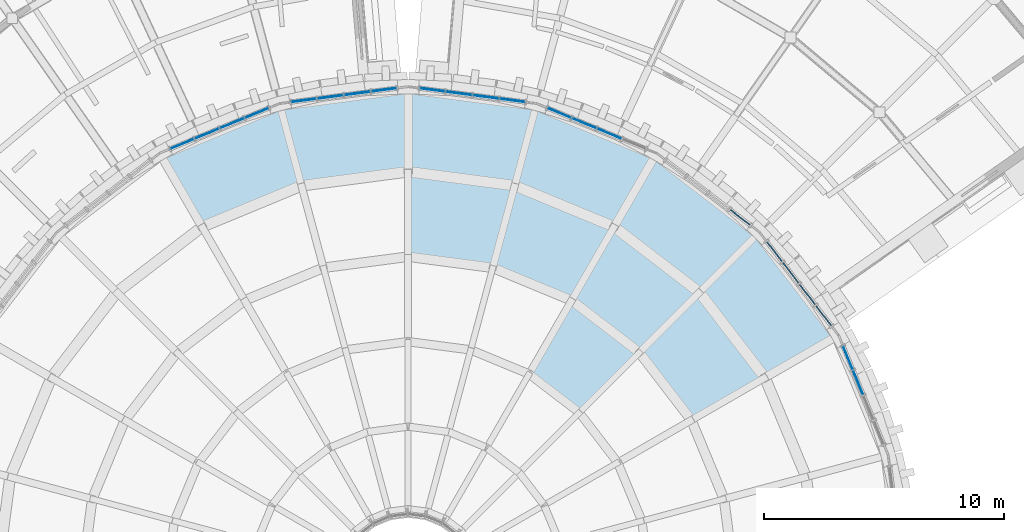
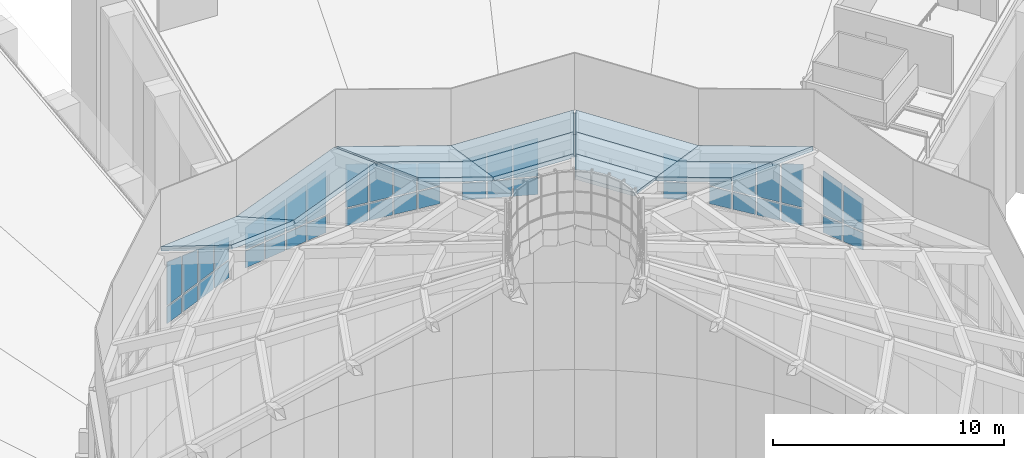
# One storey, part 44 of 82: 44 plates, 11 slabs, 8 elements without a shape of their own.
"""IFC4 building model written with IfcOpenShell, lengths in metres."""

import ifcopenshell
import ifcopenshell.guid

model = None  # the IFC model being written
_history = None  # IfcOwnerHistory: only IFC2X3 demands one
_inside = {}  # id of a spatial element -> (the spatial element, [elements in it])
_under = {}  # id of a project, library or spatial element -> (it, [spatial elements below it])
_declared = {}  # id of a project -> (the project, [libraries it declares])
_typed = {}  # id of a type object -> (the type object, [elements of that type])
_made_of = {}  # id of a material, layer set ... -> (it, [elements and type objects made of it])


def new_model(schema):
    """Start an empty IFC model of exactly this schema.

    Asked for "IFC4X3", IfcOpenShell would pick the latest addendum, in which some entities
    have other attributes; the version numbers below select the first issue.
    IFC2X3 requires an IfcOwnerHistory on every rooted entity: one is made here for all.
    """
    global model, _history
    if schema == "IFC4X3":
        model = ifcopenshell.file(schema_version=(4, 3, 0, 0))
    else:
        model = ifcopenshell.file(schema=schema)
    _inside.clear()
    _under.clear()
    _declared.clear()
    _typed.clear()
    _made_of.clear()
    _history = None
    if model.schema == "IFC2X3":
        org = make("IfcOrganization", Name="unknown")
        user = make(
            "IfcPersonAndOrganization",
            ThePerson=make("IfcPerson", FamilyName="unknown"),
            TheOrganization=org,
        )
        app = make(
            "IfcApplication",
            ApplicationDeveloper=org,
            Version="unknown",
            ApplicationFullName="unknown",
            ApplicationIdentifier="unknown",
        )
        _history = make(
            "IfcOwnerHistory",
            OwningUser=user,
            OwningApplication=app,
            ChangeAction="ADDED",
            CreationDate=0,
        )
    return model


def make(cls, **values):
    """One entity of the class cls with the attributes given. An attribute that is None is left unset."""
    return model.create_entity(
        cls, **{name: value for name, value in values.items() if value is not None}
    )


def rooted(cls, **values):
    """An entity with a GlobalId (a new one), such as an element, a storey or a relation."""
    return make(cls, GlobalId=ifcopenshell.guid.new(), OwnerHistory=_history, **values)


def si_unit(unit_type, name, prefix=None):
    """IfcSIUnit, for example si_unit("LENGTHUNIT", "METRE", prefix="MILLI")."""
    return make("IfcSIUnit", UnitType=unit_type, Prefix=prefix, Name=name)


def assignment(units):
    """IfcUnitAssignment: the units of a project."""
    return None if units is None else make("IfcUnitAssignment", Units=units)


def point(xyz):
    """IfcCartesianPoint."""
    return None if xyz is None else make("IfcCartesianPoint", Coordinates=xyz)


def direction(xyz):
    """IfcDirection."""
    return None if xyz is None else make("IfcDirection", DirectionRatios=xyz)


def frame(location, z_axis=None, x_axis=None):
    """IfcAxis2Placement3D, a coordinate frame: its origin and axes. An axis left out is left unset."""
    return make(
        "IfcAxis2Placement3D",
        Location=point(location),
        Axis=direction(z_axis),
        RefDirection=direction(x_axis),
    )


def frame_2d(location, x_axis=None):
    """IfcAxis2Placement2D, a coordinate frame in the plane: its origin and x axis."""
    return make(
        "IfcAxis2Placement2D", Location=point(location), RefDirection=direction(x_axis)
    )


def origin():
    """The frame at (0, 0, 0) with its axes left unset."""
    return frame((0.0, 0.0, 0.0))


def origin_2d():
    """The frame at (0, 0) in the plane with its x axis left unset."""
    return frame_2d((0.0, 0.0))


def place(relative_to, where):
    """IfcLocalPlacement: puts the frame where relative to a parent placement (None: the world)."""
    return make(
        "IfcLocalPlacement", PlacementRelTo=relative_to, RelativePlacement=where
    )


def context(
    kind, dimensions, precision=None, world=None, true_north=None, identifier=None
):
    """IfcGeometricRepresentationContext, for example the 3D "Model" context."""
    return make(
        "IfcGeometricRepresentationContext",
        ContextIdentifier=identifier,
        ContextType=kind,
        CoordinateSpaceDimension=dimensions,
        Precision=precision,
        WorldCoordinateSystem=world,
        TrueNorth=true_north,
    )


def subcontext(parent, identifier, kind, view, scale=None):
    """IfcGeometricRepresentationSubContext, for example "Body" below "Model"."""
    return make(
        "IfcGeometricRepresentationSubContext",
        ContextIdentifier=identifier,
        ContextType=kind,
        ParentContext=parent,
        TargetScale=scale,
        TargetView=view,
    )


def project(units=None, contexts=None):
    """IfcProject with its units and contexts."""
    return rooted(
        "IfcProject",
        Name="project",
        RepresentationContexts=contexts,
        UnitsInContext=assignment(units),
    )


def spatial(cls, under=None, at=None, **own):
    """A site, building, storey or space (cls), placed at a placement, below another one or the project."""
    s = rooted(cls, ObjectPlacement=at, **own)
    if under is not None:
        _under.setdefault(under.id(), (under, []))[1].append(s)
    return s


def polyline(points):
    """IfcPolyline through the points."""
    return make("IfcPolyline", Points=[point(p) for p in points])


def profile(cls, at=None, kind="AREA", **sizes):
    """A parametric profile (cls). Its sizes go by their IFC names, for example OverallWidth=200.0."""
    return make(cls, ProfileType=kind, Position=at, **sizes)


def rectangle(**sizes):
    """IfcRectangleProfileDef."""
    return profile("IfcRectangleProfileDef", **sizes)


def outline(outer, holes=None, kind="AREA"):
    """IfcArbitraryClosedProfileDef: a profile drawn as a closed curve; with holes, ...WithVoids."""
    if holes is None:
        return make("IfcArbitraryClosedProfileDef", ProfileType=kind, OuterCurve=outer)
    return make(
        "IfcArbitraryProfileDefWithVoids",
        ProfileType=kind,
        OuterCurve=outer,
        InnerCurves=holes,
    )


def extrude(swept, where, along, depth):
    """IfcExtrudedAreaSolid: the profile swept, set in the frame where, extruded along a direction by depth."""
    return make(
        "IfcExtrudedAreaSolid",
        SweptArea=swept,
        Position=where,
        ExtrudedDirection=direction(along),
        Depth=depth,
    )


def shape(context_of_items, identifier, shape_type, items):
    """IfcShapeRepresentation: the items that make up one representation, for example the "Body"."""
    return make(
        "IfcShapeRepresentation",
        ContextOfItems=context_of_items,
        RepresentationIdentifier=identifier,
        RepresentationType=shape_type,
        Items=items,
    )


def material(Name=None, Category=None):
    """IfcMaterial."""
    return make("IfcMaterial", Name=Name, Category=Category)


def layer(
    of_material, thickness, ventilated=None, Name=None, Category=None, Priority=None
):
    """IfcMaterialLayer: one layer of a wall or slab, of a material (None: an air gap)."""
    return make(
        "IfcMaterialLayer",
        Material=of_material,
        LayerThickness=thickness,
        IsVentilated=ventilated,
        Name=Name,
        Category=Category,
        Priority=Priority,
    )


def layer_set(layers, Name=None):
    """IfcMaterialLayerSet."""
    return make("IfcMaterialLayerSet", MaterialLayers=layers, LayerSetName=Name)


def made_of(thing, what):
    """Note that an element or type object is made of a material, layer set ...; save() writes the relation."""
    if what is not None:
        _made_of.setdefault(what.id(), (what, []))[1].append(thing)
    return thing


def type_object(cls, material=None, **own):
    """A type object (cls), such as IfcWallType, which elements share."""
    return made_of(rooted(cls, **own), material)


def element(
    cls,
    number,
    at=None,
    inside=None,
    cuts=None,
    type_object=None,
    material=None,
    context=None,
    identifier="Body",
    shape_type=None,
    held_by="IfcProductDefinitionShape",
    body=None,
    shapes=None,
    **own,
):
    """One element of the class cls, such as IfcWall. Its Tag is "e" and its number.

    at: its placement. inside: the storey or other place that contains it. cuts: it is an
    opening in that element (IfcRelVoidsElement). A single representation is given by context,
    identifier, shape_type and body (its items); several are given by shapes. held_by: the class
    of the entity that holds the representations. save() writes the other relations.
    """
    e = rooted(cls, Tag="e%d" % number, ObjectPlacement=at, **own)
    if body is not None:
        shapes = [shape(context, identifier, shape_type, body)]
    if shapes is not None:
        e.Representation = make(held_by, Representations=shapes)
    if inside is not None:
        _inside.setdefault(inside.id(), (inside, []))[1].append(e)
    if cuts is not None:
        rooted(
            "IfcRelVoidsElement", RelatingBuildingElement=cuts, RelatedOpeningElement=e
        )
    if type_object is not None:
        _typed.setdefault(type_object.id(), (type_object, []))[1].append(e)
    return made_of(e, material)


def aggregate(whole, parts):
    """IfcRelAggregates: a whole, such as a stair, and the parts it consists of."""
    return rooted("IfcRelAggregates", RelatingObject=whole, RelatedObjects=parts)


def save(model, path):
    """Write the relations noted so far, then the file.

    IfcRelAggregates (storeys below a building ...), IfcRelContainedInSpatialStructure (elements
    in a storey), IfcRelDefinesByType, IfcRelAssociatesMaterial and IfcRelDeclares: one each for
    every whole, place, type object, material and project.
    """
    for whole, parts in _under.values():
        aggregate(whole, parts)
    for where, things in _inside.values():
        rooted(
            "IfcRelContainedInSpatialStructure",
            RelatedElements=things,
            RelatingStructure=where,
        )
    for kind, things in _typed.values():
        rooted("IfcRelDefinesByType", RelatedObjects=things, RelatingType=kind)
    for what, things in _made_of.values():
        rooted("IfcRelAssociatesMaterial", RelatedObjects=things, RelatingMaterial=what)
    for by, libraries in _declared.values():
        rooted("IfcRelDeclares", RelatingContext=by, RelatedDefinitions=libraries)
    model.write(path)


model = new_model("IFC4")

# Units and contexts
model_context = context("Model", 3, precision=1e-05, world=origin(), true_north=direction((0.0, 1.0)))
body_context = subcontext(model_context, "Body", "Model", "MODEL_VIEW")
ifc_project = project(units=[si_unit("LENGTHUNIT", "METRE"), si_unit("AREAUNIT", "SQUARE_METRE"), si_unit("VOLUMEUNIT", "CUBIC_METRE"), si_unit("PLANEANGLEUNIT", "RADIAN"), si_unit("MASSUNIT", "GRAM", prefix="KILO")], contexts=[model_context])

# Site, building, storey
site_placement = place(None, origin())
site = spatial("IfcSite", under=ifc_project, at=site_placement, CompositionType="ELEMENT")
building_placement = place(site_placement, origin())
building = spatial("IfcBuilding", under=site, at=building_placement, Name="Volute Hill Aquarium", CompositionType="ELEMENT")
storey_placement = place(building_placement, frame((0.0, 0.0, 13.800048828125)))
storey = spatial("IfcBuildingStorey", under=building, at=storey_placement, Name="L04", CompositionType="ELEMENT", Elevation=13.800048828125)

# Curtain wall, plates
ifc_material_1 = material(Name="Aluminium", Category="aluminium")
ifc_layer_1 = layer(ifc_material_1, 0.219970703125)
ifc_layer_set_1 = layer_set([ifc_layer_1], Name="Curtain wall DR clerestory module 1134")
curtain_wall_type = type_object("IfcCurtainWallType", Name="Curtain wall DR clerestory module 1134", PredefinedType="NOTDEFINED", material=ifc_layer_set_1)
curtain_wall_1_placement = place(storey_placement, origin())
curtain_wall_1 = element("IfcCurtainWall", 1, at=curtain_wall_1_placement, inside=storey, type_object=curtain_wall_type, Name="Curtain wall CW DR clerestory c01", PredefinedType="NOTDEFINED")
ifc_material_2 = material(Name="Glass, low-iron laminated", Category="glass")
ifc_layer_2 = layer(ifc_material_2, 0.035888671875)
ifc_layer_set_2 = layer_set([ifc_layer_2], Name="Curtain wall glass panel clerestory 36")
plate_type = type_object("IfcPlateType", Name="Curtain wall glass panel clerestory 36", PredefinedType="CURTAIN_PANEL", material=ifc_layer_set_2)
plate_1_placement = place(storey_placement, frame((18.74365234375, 8.377685546875, 13.77001953125), z_axis=(0.0, 0.0, 1.0), x_axis=(-0.382696102118, 0.923874284426, 0.0)))
plate_1 = element("IfcPlate", 2, at=plate_1_placement, type_object=plate_type, Name="Panel DR clerestory 3.1", PredefinedType="CURTAIN_PANEL", context=body_context, shape_type="SweptSolid", body=[
    extrude(rectangle(XDim=1.06396484375, YDim=0.035888671875, at=origin_2d()), origin(), (0.0, 0.0, 1.0), 0.89501953125),
])
plate_2_placement = place(storey_placement, frame((18.9638671875, 7.89306640625, 14.73486328125), z_axis=(0.923849008585, 0.38275711533, 0.0), x_axis=(-0.38275711533, 0.923849008585, 0.0)))
plate_2 = element("IfcPlate", 3, at=plate_2_placement, type_object=plate_type, Name="Panel DR clerestory 3.2", PredefinedType="CURTAIN_PANEL", context=body_context, shape_type="SweptSolid", body=[
    extrude(outline(polyline([(0.0, 0.0), (1.0639294377283515, 0.0), (1.0639294377283515, 2.007080078125), (0.0, 1.7314453125), (0.0, 0.0)])), origin(), (0.0, 0.0, -1.0), 0.035888671875),
])
plate_3_placement = place(storey_placement, frame((18.31640625, 9.4091796875, 13.77001953125), z_axis=(0.0, 0.0, 1.0), x_axis=(-0.382696102118, 0.923874284426, 0.0)))
plate_3 = element("IfcPlate", 4, at=plate_3_placement, type_object=plate_type, Name="Panel DR clerestory 4.1", PredefinedType="CURTAIN_PANEL", context=body_context, shape_type="SweptSolid", body=[
    extrude(rectangle(XDim=1.029052734375, YDim=0.035888671875, at=origin_2d()), origin(), (0.0, 0.0, 1.0), 0.89501953125),
])
plate_4_placement = place(storey_placement, frame((18.530029296875, 8.940673828125, 14.73486328125), z_axis=(0.923875137994, 0.382694041496, 0.0), x_axis=(-0.382694041496, 0.923875137994, 0.0)))
plate_4 = element("IfcPlate", 5, at=plate_4_placement, type_object=plate_type, Name="Panel DR clerestory 4.2", PredefinedType="CURTAIN_PANEL", context=body_context, shape_type="SweptSolid", body=[
    extrude(outline(polyline([(0.0, 0.0), (1.029017401435971, 0.0), (1.029017401435971, 2.2917480468750004), (0.0, 2.0251464843750004), (0.0, 0.0)])), origin(), (0.0, 0.0, -1.0), 0.035888671875),
])
aggregate(curtain_wall_1, [plate_1, plate_2, plate_3, plate_4])

curtain_wall_2_placement = place(storey_placement, origin())
curtain_wall_2 = element("IfcCurtainWall", 6, at=curtain_wall_2_placement, inside=storey, type_object=curtain_wall_type, Name="Curtain wall CW DR clerestory c02", PredefinedType="NOTDEFINED")
plate_5_placement = place(storey_placement, frame((17.306640625, 11.157958984375, 13.77001953125), z_axis=(0.0, 0.0, 1.0), x_axis=(-0.608760551921, 0.793354013303, 0.0)))
plate_5 = element("IfcPlate", 7, at=plate_5_placement, type_object=plate_type, Name="Panel DR clerestory 1.1", PredefinedType="CURTAIN_PANEL", context=body_context, shape_type="SweptSolid", body=[
    extrude(rectangle(XDim=1.029052734375, YDim=0.035888671875, at=origin_2d()), origin(), (0.0, 0.0, 1.0), 0.89501953125),
])
plate_6_placement = place(storey_placement, frame((17.63427734375, 10.7607421875, 14.73486328125), z_axis=(0.793461214918, 0.608620818261, 0.0), x_axis=(-0.608620818261, 0.793461214918, 0.0)))
plate_6 = element("IfcPlate", 8, at=plate_6_placement, type_object=plate_type, Name="Panel DR clerestory 1.2", PredefinedType="CURTAIN_PANEL", context=body_context, shape_type="SweptSolid", body=[
    extrude(outline(polyline([(0.0, 0.0), (1.0289176517396483, 0.0), (1.0289176517396483, 2.025146484375), (0.0, 2.291748046875), (0.0, 0.0)])), origin(), (0.0, 0.0, -1.0), 0.035888671875),
])
plate_7_placement = place(storey_placement, frame((16.626953125, 12.043701171875, 13.77001953125), z_axis=(0.0, 0.0, 1.0), x_axis=(-0.608760551921, 0.793354013303, 0.0)))
plate_7 = element("IfcPlate", 9, at=plate_7_placement, type_object=plate_type, Name="Panel DR clerestory 2.1", PredefinedType="CURTAIN_PANEL", context=body_context, shape_type="SweptSolid", body=[
    extrude(rectangle(XDim=1.06396484375, YDim=0.035888671875, at=origin_2d()), origin(), (0.0, 0.0, 1.0), 0.89501953125),
])
plate_8_placement = place(storey_placement, frame((16.965087890625, 11.632568359375, 14.73486328125), z_axis=(0.793399515431, 0.608701247669, 0.0), x_axis=(-0.608701247669, 0.793399515431, 0.0)))
plate_8 = element("IfcPlate", 10, at=plate_8_placement, type_object=plate_type, Name="Panel DR clerestory 2.2", PredefinedType="CURTAIN_PANEL", context=body_context, shape_type="SweptSolid", body=[
    extrude(outline(polyline([(0.0, 0.0), (1.0640771324283154, 0.0), (1.0640771324283154, 1.7314453125000004), (0.0, 2.0070800781250004), (0.0, 0.0)])), origin(), (0.0, 0.0, -1.0), 0.035888671875),
])
plate_9_placement = place(storey_placement, frame((15.936767578125, 12.943359375, 13.77001953125), z_axis=(0.0, 0.0, 1.0), x_axis=(-0.608760551921, 0.793354013303, 0.0)))
plate_9 = element("IfcPlate", 11, at=plate_9_placement, type_object=plate_type, Name="Panel DR clerestory 3.1", PredefinedType="CURTAIN_PANEL", context=body_context, shape_type="SweptSolid", body=[
    extrude(rectangle(XDim=1.06396484375, YDim=0.035888671875, at=origin_2d()), origin(), (0.0, 0.0, 1.0), 0.89501953125),
])
plate_10_placement = place(storey_placement, frame((16.274658203125, 12.5322265625, 14.73486328125), z_axis=(0.793399515431, 0.608701247669, 0.0), x_axis=(-0.608701247669, 0.793399515431, 0.0)))
plate_10 = element("IfcPlate", 12, at=plate_10_placement, type_object=plate_type, Name="Panel DR clerestory 3.2", PredefinedType="CURTAIN_PANEL", context=body_context, shape_type="SweptSolid", body=[
    extrude(outline(polyline([(0.0, 0.0), (1.0640771324283154, 0.0), (1.0640771324283154, 1.4377441406250002), (0.0, 1.7133789062500004), (0.0, 0.0)])), origin(), (0.0, 0.0, -1.0), 0.035888671875),
])
plate_11_placement = place(storey_placement, frame((15.257080078125, 13.8291015625, 13.77001953125), z_axis=(0.0, 0.0, 1.0), x_axis=(-0.608760551921, 0.793354013303, 0.0)))
plate_11 = element("IfcPlate", 13, at=plate_11_placement, type_object=plate_type, Name="Panel DR clerestory 4.1", PredefinedType="CURTAIN_PANEL", context=body_context, shape_type="SweptSolid", body=[
    extrude(rectangle(XDim=1.029052734375, YDim=0.035888671875, at=origin_2d()), origin(), (0.0, 0.0, 1.0), 0.89501953125),
])
plate_12_placement = place(storey_placement, frame((15.58447265625, 13.431884765625, 14.73486328125), z_axis=(0.793346631306, 0.608770172228, 0.0), x_axis=(-0.608770172228, 0.793346631306, 0.0)))
plate_12 = element("IfcPlate", 14, at=plate_12_placement, type_object=plate_type, Name="Panel DR clerestory 4.2", PredefinedType="CURTAIN_PANEL", context=body_context, shape_type="SweptSolid", body=[
    extrude(outline(polyline([(0.0, 0.0), (1.0290662590396085, 0.0), (1.0290662590396085, 1.1528320312500002), (0.0, 1.4194335937500002), (0.0, 0.0)])), origin(), (0.0, 0.0, -1.0), 0.035888671875),
])
aggregate(curtain_wall_2, [plate_5, plate_6, plate_7, plate_8, plate_9, plate_10, plate_11, plate_12])

curtain_wall_3_placement = place(storey_placement, origin())
curtain_wall_3 = element("IfcCurtainWall", 15, at=curtain_wall_3_placement, inside=storey, type_object=curtain_wall_type, Name="Curtain wall CW DR clerestory c03", PredefinedType="NOTDEFINED")
plate_13_placement = place(storey_placement, frame((13.8291015625, 15.257080078125, 13.77001953125), z_axis=(0.0, 0.0, 1.0), x_axis=(-0.793354013303, 0.608760551921, 0.0)))
plate_13 = element("IfcPlate", 16, at=plate_13_placement, type_object=plate_type, Name="Panel DR clerestory 1.1", PredefinedType="CURTAIN_PANEL", context=body_context, shape_type="SweptSolid", body=[
    extrude(rectangle(XDim=1.029052734375, YDim=0.035888671875, at=origin_2d()), origin(), (0.0, 0.0, 1.0), 0.89501953125),
])
plate_14_placement = place(storey_placement, frame((14.248291015625, 14.9580078125, 14.73486328125), z_axis=(0.608770172228, 0.793346631306, 0.0), x_axis=(-0.793346631306, 0.608770172228, 0.0)))
plate_14 = element("IfcPlate", 17, at=plate_14_placement, type_object=plate_type, Name="Panel DR clerestory 1.2", PredefinedType="CURTAIN_PANEL", context=body_context, shape_type="SweptSolid", body=[
    extrude(outline(polyline([(0.0, 0.0), (1.0290662590396085, 0.0), (1.0290662590396085, 1.4194335937500002), (0.0, 1.1528320312500002), (0.0, 0.0)])), origin(), (0.0, 0.0, -1.0), 0.035888671875),
])
aggregate(curtain_wall_3, [plate_13, plate_14])

curtain_wall_4_placement = place(storey_placement, origin())
curtain_wall_4 = element("IfcCurtainWall", 18, at=curtain_wall_4_placement, inside=storey, type_object=curtain_wall_type, Name="Curtain wall CW DR clerestory c04", PredefinedType="NOTDEFINED")
plate_15_placement = place(storey_placement, frame((8.377685546875, 18.74365234375, 13.77001953125), z_axis=(0.0, 0.0, 1.0), x_axis=(-0.923874284426, 0.382696102118, 0.0)))
plate_15 = element("IfcPlate", 19, at=plate_15_placement, type_object=plate_type, Name="Panel DR clerestory 2.1", PredefinedType="CURTAIN_PANEL", context=body_context, shape_type="SweptSolid", body=[
    extrude(rectangle(XDim=1.06396484375, YDim=0.035888671875, at=origin_2d()), origin(), (0.0, 0.0, 1.0), 0.89501953125),
])
plate_16_placement = place(storey_placement, frame((8.8759765625, 18.556640625, 14.73486328125), z_axis=(0.38275711533, 0.923849008585, 0.0), x_axis=(-0.923849008585, 0.38275711533, 0.0)))
plate_16 = element("IfcPlate", 20, at=plate_16_placement, type_object=plate_type, Name="Panel DR clerestory 2.2", PredefinedType="CURTAIN_PANEL", context=body_context, shape_type="SweptSolid", body=[
    extrude(outline(polyline([(0.0, 0.0), (1.0639294377283515, 0.0), (1.0639294377283515, 1.7314453125), (0.0, 2.007080078125), (0.0, 0.0)])), origin(), (0.0, 0.0, -1.0), 0.035888671875),
])
plate_17_placement = place(storey_placement, frame((7.330078125, 19.177734375, 13.77001953125), z_axis=(0.0, 0.0, 1.0), x_axis=(-0.923874284426, 0.382696102118, 0.0)))
plate_17 = element("IfcPlate", 21, at=plate_17_placement, type_object=plate_type, Name="Panel DR clerestory 3.1", PredefinedType="CURTAIN_PANEL", context=body_context, shape_type="SweptSolid", body=[
    extrude(rectangle(XDim=1.06396484375, YDim=0.035888671875, at=origin_2d()), origin(), (0.0, 0.0, 1.0), 0.89501953125),
])
plate_18_placement = place(storey_placement, frame((7.828369140625, 18.99072265625, 14.73486328125), z_axis=(0.382675987972, 0.923882616045, 0.0), x_axis=(-0.923882616045, 0.382675987972, 0.0)))
plate_18 = element("IfcPlate", 22, at=plate_18_placement, type_object=plate_type, Name="Panel DR clerestory 3.2", PredefinedType="CURTAIN_PANEL", context=body_context, shape_type="SweptSolid", body=[
    extrude(outline(polyline([(0.0, 0.0), (1.064154990905621, 0.0), (1.064154990905621, 1.4377441406250002), (0.0, 1.7133789062500004), (0.0, 0.0)])), origin(), (0.0, 0.0, -1.0), 0.035888671875),
])
plate_19_placement = place(storey_placement, frame((6.29833984375, 19.60498046875, 13.77001953125), z_axis=(0.0, 0.0, 1.0), x_axis=(-0.923874284426, 0.382696102118, 0.0)))
plate_19 = element("IfcPlate", 23, at=plate_19_placement, type_object=plate_type, Name="Panel DR clerestory 4.1", PredefinedType="CURTAIN_PANEL", context=body_context, shape_type="SweptSolid", body=[
    extrude(rectangle(XDim=1.029052734375, YDim=0.035888671875, at=origin_2d()), origin(), (0.0, 0.0, 1.0), 0.89501953125),
])
plate_20_placement = place(storey_placement, frame((6.780517578125, 19.424560546875, 14.73486328125), z_axis=(0.382777942923, 0.923840379293, 0.0), x_axis=(-0.923840379293, 0.382777942923, 0.0)))
plate_20 = element("IfcPlate", 24, at=plate_20_placement, type_object=plate_type, Name="Panel DR clerestory 4.2", PredefinedType="CURTAIN_PANEL", context=body_context, shape_type="SweptSolid", body=[
    extrude(outline(polyline([(0.0, 0.0), (1.0287918502248996, 0.0), (1.0287918502248996, 1.15283203125), (0.0, 1.41943359375), (0.0, 0.0)])), origin(), (0.0, 0.0, -1.0), 0.035888671875),
])
aggregate(curtain_wall_4, [plate_15, plate_16, plate_17, plate_18, plate_19, plate_20])

curtain_wall_5_placement = place(storey_placement, origin())
curtain_wall_5 = element("IfcCurtainWall", 25, at=curtain_wall_5_placement, inside=storey, type_object=curtain_wall_type, Name="Curtain wall CW DR clerestory c05", PredefinedType="NOTDEFINED")
plate_21_placement = place(storey_placement, frame((4.347900390625, 20.127685546875, 13.77001953125), z_axis=(0.0, 0.0, 1.0), x_axis=(-0.991445853287, 0.130518657667, 0.0)))
plate_21 = element("IfcPlate", 26, at=plate_21_placement, type_object=plate_type, Name="Panel DR clerestory 1.1", PredefinedType="CURTAIN_PANEL", context=body_context, shape_type="SweptSolid", body=[
    extrude(rectangle(XDim=1.029052734375, YDim=0.035888671875, at=origin_2d()), origin(), (0.0, 0.0, 1.0), 0.89501953125),
])
plate_22_placement = place(storey_placement, frame((4.8603515625, 20.078369140625, 14.73486328125), z_axis=(0.130515897359, 0.991446216664, 0.0), x_axis=(-0.991446216664, 0.130515897359, 0.0)))
plate_22 = element("IfcPlate", 27, at=plate_22_placement, type_object=plate_type, Name="Panel DR clerestory 1.2", PredefinedType="CURTAIN_PANEL", context=body_context, shape_type="SweptSolid", body=[
    extrude(outline(polyline([(0.0, 0.0), (1.02881983319531, 0.0), (1.02881983319531, 1.41943359375), (0.0, 1.15283203125), (0.0, 0.0)])), origin(), (0.0, 0.0, -1.0), 0.035888671875),
])
plate_23_placement = place(storey_placement, frame((3.240966796875, 20.2734375, 13.77001953125), z_axis=(0.0, 0.0, 1.0), x_axis=(-0.991445853287, 0.130518657667, 0.0)))
plate_23 = element("IfcPlate", 28, at=plate_23_placement, type_object=plate_type, Name="Panel DR clerestory 2.1", PredefinedType="CURTAIN_PANEL", context=body_context, shape_type="SweptSolid", body=[
    extrude(rectangle(XDim=1.06396484375, YDim=0.035888671875, at=origin_2d()), origin(), (0.0, 0.0, 1.0), 0.89501953125),
])
plate_24_placement = place(storey_placement, frame((3.770751953125, 20.2216796875, 14.73486328125), z_axis=(0.1305554124, 0.991441014026, 0.0), x_axis=(-0.991441014026, 0.1305554124, 0.0)))
plate_24 = element("IfcPlate", 29, at=plate_24_placement, type_object=plate_type, Name="Panel DR clerestory 2.2", PredefinedType="CURTAIN_PANEL", context=body_context, shape_type="SweptSolid", body=[
    extrude(outline(polyline([(0.0, 0.0), (1.0640387332183354, 0.0), (1.0640387332183354, 1.71337890625), (0.0, 1.437744140625), (0.0, 0.0)])), origin(), (0.0, 0.0, -1.0), 0.035888671875),
])
plate_25_placement = place(storey_placement, frame((2.11669921875, 20.42138671875, 13.77001953125), z_axis=(0.0, 0.0, 1.0), x_axis=(-0.991445853287, 0.130518657667, 0.0)))
plate_25 = element("IfcPlate", 30, at=plate_25_placement, type_object=plate_type, Name="Panel DR clerestory 3.1", PredefinedType="CURTAIN_PANEL", context=body_context, shape_type="SweptSolid", body=[
    extrude(rectangle(XDim=1.06396484375, YDim=0.035888671875, at=origin_2d()), origin(), (0.0, 0.0, 1.0), 0.89501953125),
])
plate_26_placement = place(storey_placement, frame((2.646484375, 20.36962890625, 14.73486328125), z_axis=(0.1305554124, 0.991441014026, 0.0), x_axis=(-0.991441014026, 0.1305554124, 0.0)))
plate_26 = element("IfcPlate", 31, at=plate_26_placement, type_object=plate_type, Name="Panel DR clerestory 3.2", PredefinedType="CURTAIN_PANEL", context=body_context, shape_type="SweptSolid", body=[
    extrude(outline(polyline([(0.0, 0.0), (1.0640387332183352, 0.0), (1.0640387332183352, 2.007080078125), (0.0, 1.7314453125), (0.0, 0.0)])), origin(), (0.0, 0.0, -1.0), 0.035888671875),
])
plate_27_placement = place(storey_placement, frame((1.009765625, 20.567138671875, 13.77001953125), z_axis=(0.0, 0.0, 1.0), x_axis=(-0.991445853287, 0.130518657667, 0.0)))
plate_27 = element("IfcPlate", 32, at=plate_27_placement, type_object=plate_type, Name="Panel DR clerestory 4.1", PredefinedType="CURTAIN_PANEL", context=body_context, shape_type="SweptSolid", body=[
    extrude(rectangle(XDim=1.029052734375, YDim=0.035888671875, at=origin_2d()), origin(), (0.0, 0.0, 1.0), 0.89501953125),
])
plate_28_placement = place(storey_placement, frame((1.522216796875, 20.517822265625, 14.73486328125), z_axis=(0.130485197808, 0.991450257528, 0.0), x_axis=(-0.991450257528, 0.130485197808, 0.0)))
plate_28 = element("IfcPlate", 33, at=plate_28_placement, type_object=plate_type, Name="Panel DR clerestory 4.2", PredefinedType="CURTAIN_PANEL", context=body_context, shape_type="SweptSolid", body=[
    extrude(outline(polyline([(0.0, 0.0), (1.0290618859876277, 0.0), (1.0290618859876277, 2.2917480468750004), (0.0, 2.0251464843750004), (0.0, 0.0)])), origin(), (0.0, 0.0, -1.0), 0.035888671875),
])
aggregate(curtain_wall_5, [plate_21, plate_22, plate_23, plate_24, plate_25, plate_26, plate_27, plate_28])

curtain_wall_6_placement = place(storey_placement, origin())
curtain_wall_6 = element("IfcCurtainWall", 34, at=curtain_wall_6_placement, inside=storey, type_object=curtain_wall_type, Name="Curtain wall CW DR clerestory c06", PredefinedType="NOTDEFINED")
plate_29_placement = place(storey_placement, frame((-1.009765625, 20.567138671875, 13.77001953125), z_axis=(0.0, 0.0, 1.0), x_axis=(-0.991445853287, -0.130518657667, 0.0)))
plate_29 = element("IfcPlate", 35, at=plate_29_placement, type_object=plate_type, Name="Panel DR clerestory 1.1", PredefinedType="CURTAIN_PANEL", context=body_context, shape_type="SweptSolid", body=[
    extrude(rectangle(XDim=1.029052734375, YDim=0.035888671875, at=origin_2d()), origin(), (0.0, 0.0, 1.0), 0.89501953125),
])
plate_30_placement = place(storey_placement, frame((-0.501953125, 20.652099609375, 14.73486328125), z_axis=(-0.130485197808, 0.991450257528, 0.0), x_axis=(-0.991450257528, -0.130485197808, 0.0)))
plate_30 = element("IfcPlate", 36, at=plate_30_placement, type_object=plate_type, Name="Panel DR clerestory 1.2", PredefinedType="CURTAIN_PANEL", context=body_context, shape_type="SweptSolid", body=[
    extrude(outline(polyline([(0.0, 0.0), (1.0290618859876277, 0.0), (1.0290618859876277, 2.0251464843750004), (0.0, 2.2917480468750004), (0.0, 0.0)])), origin(), (0.0, 0.0, -1.0), 0.035888671875),
])
plate_31_placement = place(storey_placement, frame((-2.11669921875, 20.42138671875, 13.77001953125), z_axis=(0.0, 0.0, 1.0), x_axis=(-0.991445853287, -0.130518657667, 0.0)))
plate_31 = element("IfcPlate", 37, at=plate_31_placement, type_object=plate_type, Name="Panel DR clerestory 2.1", PredefinedType="CURTAIN_PANEL", context=body_context, shape_type="SweptSolid", body=[
    extrude(rectangle(XDim=1.06396484375, YDim=0.035888671875, at=origin_2d()), origin(), (0.0, 0.0, 1.0), 0.89501953125),
])
plate_32_placement = place(storey_placement, frame((-1.591552734375, 20.508544921875, 14.73486328125), z_axis=(-0.1305554124, 0.991441014026, 0.0), x_axis=(-0.991441014026, -0.1305554124, 0.0)))
plate_32 = element("IfcPlate", 38, at=plate_32_placement, type_object=plate_type, Name="Panel DR clerestory 2.2", PredefinedType="CURTAIN_PANEL", context=body_context, shape_type="SweptSolid", body=[
    extrude(outline(polyline([(0.0, 0.0), (1.0640387332183352, 0.0), (1.0640387332183352, 1.7314453125), (0.0, 2.007080078125), (0.0, 0.0)])), origin(), (0.0, 0.0, -1.0), 0.035888671875),
])
plate_33_placement = place(storey_placement, frame((-3.240966796875, 20.2734375, 13.77001953125), z_axis=(0.0, 0.0, 1.0), x_axis=(-0.991445853287, -0.130518657667, 0.0)))
plate_33 = element("IfcPlate", 39, at=plate_33_placement, type_object=plate_type, Name="Panel DR clerestory 3.1", PredefinedType="CURTAIN_PANEL", context=body_context, shape_type="SweptSolid", body=[
    extrude(rectangle(XDim=1.06396484375, YDim=0.035888671875, at=origin_2d()), origin(), (0.0, 0.0, 1.0), 0.89501953125),
])
plate_34_placement = place(storey_placement, frame((-2.7158203125, 20.360595703125, 14.73486328125), z_axis=(-0.1305554124, 0.991441014026, 0.0), x_axis=(-0.991441014026, -0.1305554124, 0.0)))
plate_34 = element("IfcPlate", 40, at=plate_34_placement, type_object=plate_type, Name="Panel DR clerestory 3.2", PredefinedType="CURTAIN_PANEL", context=body_context, shape_type="SweptSolid", body=[
    extrude(outline(polyline([(0.0, 0.0), (1.0640387332183354, 0.0), (1.0640387332183354, 1.437744140625), (0.0, 1.71337890625), (0.0, 0.0)])), origin(), (0.0, 0.0, -1.0), 0.035888671875),
])
plate_35_placement = place(storey_placement, frame((-4.347900390625, 20.127685546875, 13.77001953125), z_axis=(0.0, 0.0, 1.0), x_axis=(-0.991445853287, -0.130518657667, 0.0)))
plate_35 = element("IfcPlate", 41, at=plate_35_placement, type_object=plate_type, Name="Panel DR clerestory 4.1", PredefinedType="CURTAIN_PANEL", context=body_context, shape_type="SweptSolid", body=[
    extrude(rectangle(XDim=1.029052734375, YDim=0.035888671875, at=origin_2d()), origin(), (0.0, 0.0, 1.0), 0.89501953125),
])
plate_36_placement = place(storey_placement, frame((-3.84033203125, 20.212646484375, 14.73486328125), z_axis=(-0.130515897359, 0.991446216664, 0.0), x_axis=(-0.991446216664, -0.130515897359, 0.0)))
plate_36 = element("IfcPlate", 42, at=plate_36_placement, type_object=plate_type, Name="Panel DR clerestory 4.2", PredefinedType="CURTAIN_PANEL", context=body_context, shape_type="SweptSolid", body=[
    extrude(outline(polyline([(0.0, 0.0), (1.02881983319531, 0.0), (1.02881983319531, 1.15283203125), (0.0, 1.41943359375), (0.0, 0.0)])), origin(), (0.0, 0.0, -1.0), 0.035888671875),
])
aggregate(curtain_wall_6, [plate_29, plate_30, plate_31, plate_32, plate_33, plate_34, plate_35, plate_36])

curtain_wall_7_placement = place(storey_placement, origin())
curtain_wall_7 = element("IfcCurtainWall", 43, at=curtain_wall_7_placement, inside=storey, type_object=curtain_wall_type, Name="Curtain wall CW DR clerestory c07", PredefinedType="NOTDEFINED")
plate_37_placement = place(storey_placement, frame((-6.29833984375, 19.60498046875, 13.77001953125), z_axis=(0.0, 0.0, 1.0), x_axis=(-0.923874284426, -0.382696102118, 0.0)))
plate_37 = element("IfcPlate", 44, at=plate_37_placement, type_object=plate_type, Name="Panel DR clerestory 1.1", PredefinedType="CURTAIN_PANEL", context=body_context, shape_type="SweptSolid", body=[
    extrude(rectangle(XDim=1.029052734375, YDim=0.035888671875, at=origin_2d()), origin(), (0.0, 0.0, 1.0), 0.89501953125),
])
plate_38_placement = place(storey_placement, frame((-5.830078125, 19.818359375, 14.73486328125), z_axis=(-0.382777942923, 0.923840379293, 0.0), x_axis=(-0.923840379293, -0.382777942923, 0.0)))
plate_38 = element("IfcPlate", 45, at=plate_38_placement, type_object=plate_type, Name="Panel DR clerestory 1.2", PredefinedType="CURTAIN_PANEL", context=body_context, shape_type="SweptSolid", body=[
    extrude(outline(polyline([(0.0, 0.0), (1.0287918502248996, 0.0), (1.0287918502248996, 1.41943359375), (0.0, 1.15283203125), (0.0, 0.0)])), origin(), (0.0, 0.0, -1.0), 0.035888671875),
])
plate_39_placement = place(storey_placement, frame((-7.330078125, 19.177734375, 13.77001953125), z_axis=(0.0, 0.0, 1.0), x_axis=(-0.923874284426, -0.382696102118, 0.0)))
plate_39 = element("IfcPlate", 46, at=plate_39_placement, type_object=plate_type, Name="Panel DR clerestory 2.1", PredefinedType="CURTAIN_PANEL", context=body_context, shape_type="SweptSolid", body=[
    extrude(rectangle(XDim=1.06396484375, YDim=0.035888671875, at=origin_2d()), origin(), (0.0, 0.0, 1.0), 0.89501953125),
])
plate_40_placement = place(storey_placement, frame((-6.84521484375, 19.39794921875, 14.73486328125), z_axis=(-0.382675987972, 0.923882616045, 0.0), x_axis=(-0.923882616045, -0.382675987972, 0.0)))
plate_40 = element("IfcPlate", 47, at=plate_40_placement, type_object=plate_type, Name="Panel DR clerestory 2.2", PredefinedType="CURTAIN_PANEL", context=body_context, shape_type="SweptSolid", body=[
    extrude(outline(polyline([(0.0, 0.0), (1.064154990905621, 0.0), (1.064154990905621, 1.7133789062500004), (0.0, 1.4377441406250002), (0.0, 0.0)])), origin(), (0.0, 0.0, -1.0), 0.035888671875),
])
plate_41_placement = place(storey_placement, frame((-8.377685546875, 18.74365234375, 13.77001953125), z_axis=(0.0, 0.0, 1.0), x_axis=(-0.923874284426, -0.382696102118, 0.0)))
plate_41 = element("IfcPlate", 48, at=plate_41_placement, type_object=plate_type, Name="Panel DR clerestory 3.1", PredefinedType="CURTAIN_PANEL", context=body_context, shape_type="SweptSolid", body=[
    extrude(rectangle(XDim=1.06396484375, YDim=0.035888671875, at=origin_2d()), origin(), (0.0, 0.0, 1.0), 0.89501953125),
])
plate_42_placement = place(storey_placement, frame((-7.89306640625, 18.9638671875, 14.73486328125), z_axis=(-0.38275711533, 0.923849008585, 0.0), x_axis=(-0.923849008585, -0.38275711533, 0.0)))
plate_42 = element("IfcPlate", 49, at=plate_42_placement, type_object=plate_type, Name="Panel DR clerestory 3.2", PredefinedType="CURTAIN_PANEL", context=body_context, shape_type="SweptSolid", body=[
    extrude(outline(polyline([(0.0, 0.0), (1.0639294377283515, 0.0), (1.0639294377283515, 2.007080078125), (0.0, 1.7314453125), (0.0, 0.0)])), origin(), (0.0, 0.0, -1.0), 0.035888671875),
])
plate_43_placement = place(storey_placement, frame((-9.4091796875, 18.31640625, 13.77001953125), z_axis=(0.0, 0.0, 1.0), x_axis=(-0.923874284426, -0.382696102118, 0.0)))
plate_43 = element("IfcPlate", 50, at=plate_43_placement, type_object=plate_type, Name="Panel DR clerestory 4.1", PredefinedType="CURTAIN_PANEL", context=body_context, shape_type="SweptSolid", body=[
    extrude(rectangle(XDim=1.029052734375, YDim=0.035888671875, at=origin_2d()), origin(), (0.0, 0.0, 1.0), 0.89501953125),
])
plate_44_placement = place(storey_placement, frame((-8.940673828125, 18.530029296875, 14.73486328125), z_axis=(-0.382694041496, 0.923875137994, 0.0), x_axis=(-0.923875137994, -0.382694041496, 0.0)))
plate_44 = element("IfcPlate", 51, at=plate_44_placement, type_object=plate_type, Name="Panel DR clerestory 4.2", PredefinedType="CURTAIN_PANEL", context=body_context, shape_type="SweptSolid", body=[
    extrude(outline(polyline([(0.0, 0.0), (1.029017401435971, 0.0), (1.029017401435971, 2.2917480468750004), (0.0, 2.0251464843750004), (0.0, 0.0)])), origin(), (0.0, 0.0, -1.0), 0.035888671875),
])
aggregate(curtain_wall_7, [plate_37, plate_38, plate_39, plate_40, plate_41, plate_42, plate_43, plate_44])

# Roof, slabs
roof_placement = place(storey_placement, origin())
roof = element("IfcRoof", 52, at=roof_placement, inside=storey, Name="Folded dome shell roof", PredefinedType="DOME_ROOF")
ifc_material_3 = material(Name="Concrete C40/50", Category="concrete")
ifc_layer_3 = layer(ifc_material_3, 0.159912109375)
ifc_layer_set_3 = layer_set([ifc_layer_3], Name="Dome shell plate C40/50 160")
slab_type_1 = type_object("IfcSlabType", Name="Dome shell plate C40/50 160", PredefinedType="ROOF", material=ifc_layer_set_3)
slab_1_placement = place(storey_placement, frame((9.630859375, 9.630859375, 19.81884765625), z_axis=(0.409570817127, 0.150875828039, 0.899715638561), x_axis=(-0.767786651978, 0.589649337697, 0.25063382772)))
slab_1 = element("IfcSlab", 53, at=slab_1_placement, type_object=slab_type_1, Name="Dome shell plate 3.4", PredefinedType="ROOF", context=body_context, shape_type="SweptSolid", body=[
    extrude(outline(polyline([(0.0, 0.0), (3.6224547851898223, -3.3306690738754696e-16), (3.5044282511796907, 3.7763511270510373), (0.8367285500414969, 3.7766574994908098), (0.0, 0.0)])), origin(), (0.0, 0.0, -1.0), 0.159912109375),
])
ifc_material_4 = material(Name="Concrete C40/50", Category="concrete")
ifc_layer_4 = layer(ifc_material_4, 0.179931640625)
ifc_layer_set_4 = layer_set([ifc_layer_4], Name="Dome shell plate C40/50 180")
slab_type_2 = type_object("IfcSlabType", Name="Dome shell plate C40/50 180", PredefinedType="ROOF", material=ifc_layer_set_4)
slab_2_placement = place(storey_placement, frame((14.8291015625, 8.6240234375, 19.4052734375), z_axis=(0.150916530515, 0.409611973827, 0.899690075367), x_axis=(-0.589560601899, 0.767837319943, -0.250687348686)))
slab_2 = element("IfcSlab", 54, at=slab_2_placement, type_object=slab_type_2, Name="Dome shell plate 2.3", PredefinedType="ROOF", context=body_context, shape_type="SweptSolid", body=[
    extrude(outline(polyline([(0.0, 0.0), (4.571309337870088, 1.6653345369377348e-16), (3.7340871763661503, 3.7766489165209465), (0.11738901711548122, 3.776258128446943), (0.0, 0.0)])), origin(), (0.0, 0.0, -1.0), 0.179931640625),
])
slab_3_placement = place(storey_placement, frame((12.134033203125, 12.134033203125, 18.25927734375), z_axis=(0.409611973827, 0.150916530515, 0.899690075367), x_axis=(-0.767837319943, 0.589560601899, 0.250687348686)))
slab_3 = element("IfcSlab", 55, at=slab_3_placement, type_object=slab_type_2, Name="Dome shell plate 2.4", PredefinedType="ROOF", context=body_context, shape_type="SweptSolid", body=[
    extrude(outline(polyline([(0.0, 0.0), (4.571309337870088, -1.6653345369377348e-16), (4.453920320754607, 3.7762581284469428), (0.8372221615039372, 3.7766489165209465), (0.0, 0.0)])), origin(), (0.0, 0.0, -1.0), 0.179931640625),
])
slab_4_placement = place(storey_placement, frame((8.530517578125, 14.88330078125, 19.4052734375), z_axis=(-0.074124350605, 0.430212586088, 0.899679226957), x_axis=(-0.894522057418, 0.370118439403, -0.250684322617)))
slab_4 = element("IfcSlab", 56, at=slab_4_placement, type_object=slab_type_2, Name="Dome shell plate 2.5", PredefinedType="ROOF", context=body_context, shape_type="SweptSolid", body=[
    extrude(outline(polyline([(0.0, 0.0), (4.571284896271191, 3.3306690738754696e-16), (3.7344345751690344, 3.7765499561742835), (0.11773865729988492, 3.7762472430668894), (0.0, 0.0)])), origin(), (0.0, 0.0, -1.0), 0.179931640625),
])
slab_5_placement = place(storey_placement, frame((4.44140625, 16.5751953125, 18.25927734375), z_axis=(0.279300829786, 0.335503828352, 0.899682292613), x_axis=(-0.959737595486, 0.12673219192, 0.250684461707)))
slab_5 = element("IfcSlab", 57, at=slab_5_placement, type_object=slab_type_2, Name="Dome shell plate 2.6", PredefinedType="ROOF", context=body_context, shape_type="SweptSolid", body=[
    extrude(outline(polyline([(0.0, 0.0), (4.5712726917889706, -5.551115123125783e-17), (4.453556408002104, 3.776320949152333), (0.8370076146005966, 3.7765150978412447), (0.0, 0.0)])), origin(), (0.0, 0.0, -1.0), 0.179931640625),
])
ifc_material_5 = material(Name="Concrete C40/50", Category="concrete")
ifc_layer_5 = layer(ifc_material_5, 0.199951171875)
ifc_layer_set_5 = layer_set([ifc_layer_5], Name="Dome shell plate C40/50 200")
slab_type_3 = type_object("IfcSlabType", Name="Dome shell plate C40/50 200", PredefinedType="ROOF", material=ifc_layer_set_5)
slab_6_placement = place(storey_placement, frame((17.8916015625, 10.398681640625, 18.083740234375), z_axis=(0.150877920947, 0.409575145559, 0.89971331718), x_axis=(-0.589556946659, 0.767843172201, -0.250678019678)))
slab_6 = element("IfcSlab", 58, at=slab_6_placement, type_object=slab_type_3, Name="Dome shell plate 1.3", PredefinedType="ROOF", context=body_context, shape_type="SweptSolid", body=[
    extrude(outline(polyline([(0.0, 0.0), (5.520059186301094, 3.3306690738754696e-16), (4.682888975810171, 3.776559621580285), (0.11744096834879747, 3.776171175619449), (0.0, 0.0)])), origin(), (0.0, 0.0, -1.0), 0.199951171875),
])
slab_7_placement = place(storey_placement, frame((14.63720703125, 14.63720703125, 16.699951171875), z_axis=(0.409575145559, 0.150877920947, 0.89971331718), x_axis=(-0.767843172201, 0.589556946659, 0.250678019678)))
slab_7 = element("IfcSlab", 59, at=slab_7_placement, type_object=slab_type_3, Name="Dome shell plate 1.4", PredefinedType="ROOF", context=body_context, shape_type="SweptSolid", body=[
    extrude(outline(polyline([(0.0, 0.0), (5.520059186301094, -3.3306690738754696e-16), (5.402618217952297, 3.7761711756194494), (0.8371702104909248, 3.776559621580285), (0.0, 0.0)])), origin(), (0.0, 0.0, -1.0), 0.199951171875),
])
slab_8_placement = place(storey_placement, frame((10.29541015625, 17.951416015625, 18.083740234375), z_axis=(-0.074142092986, 0.430135517658, 0.899714613918), x_axis=(-0.894512239755, 0.370149016335, -0.250674208155)))
slab_8 = element("IfcSlab", 60, at=slab_8_placement, type_object=slab_type_3, Name="Dome shell plate 1.5", PredefinedType="ROOF", context=body_context, shape_type="SweptSolid", body=[
    extrude(outline(polyline([(0.0, 0.0), (5.5200460396927955, 0.0), (4.683068780298519, 3.776642057947934), (0.11761172407191545, 3.7763640686527125), (0.0, 0.0)])), origin(), (0.0, 0.0, -1.0), 0.199951171875),
])
slab_9_placement = place(storey_placement, frame((5.357666015625, 19.99462890625, 16.699951171875), z_axis=(0.279270904492, 0.335445688066, 0.899713261135), x_axis=(-0.959747498472, 0.12666712471, 0.250679434127)))
slab_9 = element("IfcSlab", 61, at=slab_9_placement, type_object=slab_type_3, Name="Dome shell plate 1.6", PredefinedType="ROOF", context=body_context, shape_type="SweptSolid", body=[
    extrude(outline(polyline([(0.0, 0.0), (5.520055272130374, 1.1102230246251565e-16), (5.402501491025283, 3.776240675621363), (0.8371391989366921, 3.776606165767309), (0.0, 0.0)])), origin(), (0.0, 0.0, -1.0), 0.199951171875),
])
slab_10_placement = place(storey_placement, frame((-0.059814453125, 20.69384765625, 18.083740234375), z_axis=(-0.279270904492, 0.335445688066, 0.899713261135), x_axis=(-0.959747498472, -0.12666712471, -0.250679434127)))
slab_10 = element("IfcSlab", 62, at=slab_10_placement, type_object=slab_type_3, Name="Dome shell plate 1.7", PredefinedType="ROOF", context=body_context, shape_type="SweptSolid", body=[
    extrude(outline(polyline([(0.0, 0.0), (5.520055272130374, -1.1102230246251565e-16), (4.682916073193682, 3.7766061657673093), (0.11755378110509185, 3.776240675621362), (0.0, 0.0)])), origin(), (0.0, 0.0, -1.0), 0.199951171875),
])
slab_11_placement = place(storey_placement, frame((-5.357666015625, 19.99462890625, 16.699951171875), z_axis=(0.074142092986, 0.430135517658, 0.899714613918), x_axis=(-0.894512239755, -0.370149016335, 0.250674208155)))
slab_11 = element("IfcSlab", 63, at=slab_11_placement, type_object=slab_type_3, Name="Dome shell plate 1.8", PredefinedType="ROOF", context=body_context, shape_type="SweptSolid", body=[
    extrude(outline(polyline([(0.0, 0.0), (5.5200460396927955, 0.0), (5.40243431562088, 3.776364068652713), (0.8369772593942765, 3.7766420579479334), (0.0, 0.0)])), origin(), (0.0, 0.0, -1.0), 0.199951171875),
])
aggregate(roof, [slab_6, slab_7, slab_8, slab_9, slab_10, slab_11, slab_2, slab_3, slab_4, slab_5, slab_1])

save(model, "model.ifc")
